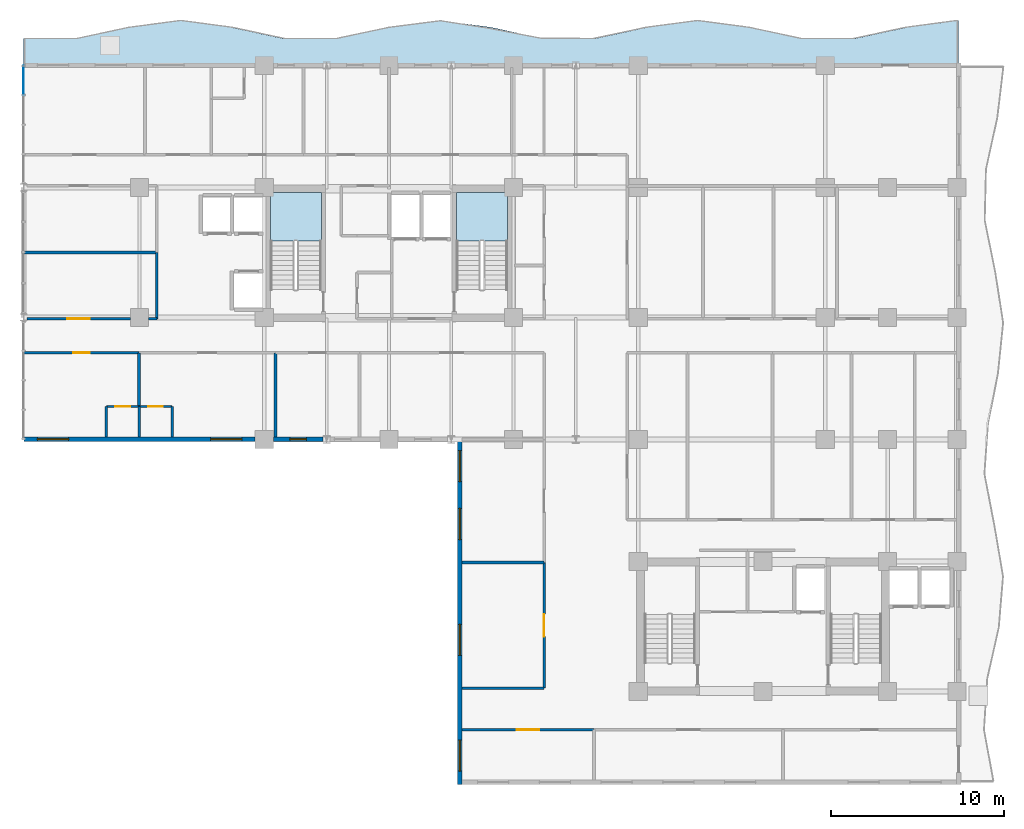
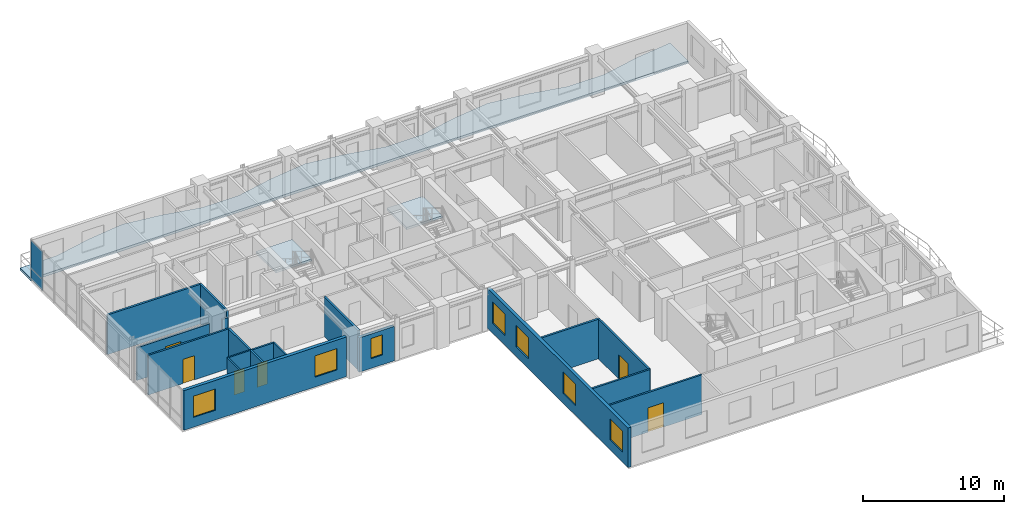
# One storey, part 10 of 19: 19 walls, 7 windows, 6 doors, 3 slabs, 2 plates, 13 openings, 3 elements without a shape of their own.
"""IFC4 building model written with IfcOpenShell, lengths in metres."""

from ifc_helpers import new_model, si_unit, direction, frame, frame_2d, origin, origin_2d, place, context, subcontext, project, spatial, polyline, rectangle, outline, extrude, source, transform, mapped, material, layer, layer_set, type_object, element, fill, aggregate, save


model = new_model("IFC4")

# Units and contexts
model_context = context("Model", 3, precision=1e-05, world=origin(), true_north=direction((0.0, 1.0)))
body_context = subcontext(model_context, "Body", "Model", "MODEL_VIEW")
ifc_project = project(units=[si_unit("LENGTHUNIT", "METRE"), si_unit("AREAUNIT", "SQUARE_METRE"), si_unit("VOLUMEUNIT", "CUBIC_METRE"), si_unit("PLANEANGLEUNIT", "RADIAN"), si_unit("MASSUNIT", "GRAM", prefix="KILO")], contexts=[model_context])

# Site, building, storey
site_placement = place(None, origin())
site = spatial("IfcSite", under=ifc_project, at=site_placement, CompositionType="ELEMENT")
building_placement = place(site_placement, origin())
building = spatial("IfcBuilding", under=site, at=building_placement, Name="Kaliganga Portal Commons", CompositionType="ELEMENT")
storey_placement = place(building_placement, frame((0.0, 0.0, 184.60009765625)))
storey = spatial("IfcBuildingStorey", under=building, at=storey_placement, Name="L47", CompositionType="ELEMENT", Elevation=184.60009765625)

# Slab
ifc_material_1 = material(Name="Concrete C40/50", Category="concrete")
ifc_layer_1 = layer(ifc_material_1, 0.2099609375)
ifc_layer_set_1 = layer_set([ifc_layer_1], Name="Concrete C40/50")
slab_type_1 = type_object("IfcSlabType", Name="SLB-BALC-210", PredefinedType="FLOOR", material=ifc_layer_set_1)
slab_1_placement = place(storey_placement, frame((0.0, 0.0, -0.210205078125)))
element("IfcSlab", 1, at=slab_1_placement, inside=storey, type_object=slab_type_1, Name="Scalloped Tree-Planter Balcony Slab L47 balc_north", PredefinedType="FLOOR", context=body_context, shape_type="SweptSolid", body=[
    extrude(outline(polyline([(54.5, 43.199951171875), (54.5, 45.800048828125), (51.5, 45.400146484375), (48.5, 44.75341796875), (45.5, 44.75341796875), (42.5, 45.400146484375), (39.5, 45.800048828125), (36.5, 45.400146484375), (33.5, 44.75341796875), (30.5, 44.75341796875), (27.5, 45.400146484375), (24.5, 45.800048828125), (21.5, 45.400146484375), (18.5, 44.75341796875), (15.5, 44.75341796875), (12.5, 45.400146484375), (9.5, 45.800048828125), (6.5, 45.400146484375), (3.5, 44.75341796875), (0.5, 44.75341796875), (0.5, 43.199951171875), (54.5, 43.199951171875)])), origin(), (0.0, 0.0, 1.0), 0.210205078125),
])

# Stair, slab
stair_type = type_object("IfcStairType", Name="ST-CORE-DOGLEG", PredefinedType="HALF_TURN_STAIR", material=ifc_material_1)
stair_1_placement = place(storey_placement, origin())
stair_1 = element("IfcStair", 2, at=stair_1_placement, inside=storey, type_object=stair_type, Name="L47 Protected Exit Stair ST-A1", PredefinedType="HALF_TURN_STAIR")
ifc_layer_2 = layer(ifc_material_1, 0.199951171875)
ifc_layer_set_2 = layer_set([ifc_layer_2], Name="Concrete C40/50")
slab_type_2 = type_object("IfcSlabType", Name="SLB-STAIR-LND", PredefinedType="LANDING", material=ifc_layer_set_2)
slab_2_placement = place(storey_placement, frame((0.0, 0.0, 1.64990234375)))
slab_2 = element("IfcSlab", 3, at=slab_2_placement, type_object=slab_type_2, Name="ST-A1 landing 1", PredefinedType="LANDING", context=body_context, shape_type="SweptSolid", body=[
    extrude(outline(polyline([(17.699951171875, 33.050048828125), (17.699951171875, 35.85009765625), (14.75, 35.85009765625), (14.75, 33.050048828125), (17.699951171875, 33.050048828125)])), origin(), (0.0, 0.0, 1.0), 0.199951171875),
])
aggregate(stair_1, [slab_2])

stair_2_placement = place(storey_placement, origin())
stair_2 = element("IfcStair", 4, at=stair_2_placement, inside=storey, type_object=stair_type, Name="L47 Protected Exit Stair ST-A2", PredefinedType="HALF_TURN_STAIR")
slab_3_placement = place(storey_placement, frame((0.0, 0.0, 1.64990234375)))
slab_3 = element("IfcSlab", 5, at=slab_3_placement, type_object=slab_type_2, Name="ST-A2 landing 1", PredefinedType="LANDING", context=body_context, shape_type="SweptSolid", body=[
    extrude(outline(polyline([(28.449951171875, 33.050048828125), (28.449951171875, 35.85009765625), (25.5, 35.85009765625), (25.5, 33.050048828125), (28.449951171875, 33.050048828125)])), origin(), (0.0, 0.0, 1.0), 0.199951171875),
])
aggregate(stair_2, [slab_3])

# Curtain wall, plates
ifc_material_2 = material(Name="Anodized Aluminium and Laminated Low-E Glass", Category="aluminium")
ifc_layer_3 = layer(ifc_material_2, 0.199951171875)
ifc_layer_set_3 = layer_set([ifc_layer_3], Name="Anodized Aluminium and Laminated Low-E Glass")
curtain_wall_type = type_object("IfcCurtainWallType", Name="CW-SYS-02", PredefinedType="NOTDEFINED", material=ifc_layer_set_3)
curtain_wall_placement = place(storey_placement, origin())
curtain_wall = element("IfcCurtainWall", 6, at=curtain_wall_placement, inside=storey, type_object=curtain_wall_type, Name="CW 02 L47 P1E03S1", PredefinedType="NOTDEFINED")
ifc_material_3 = material(Name="Insulated Dark Spandrel Panel", Category="metal")
ifc_layer_4 = layer(ifc_material_3, 0.044921875)
ifc_layer_set_4 = layer_set([ifc_layer_4], Name="Insulated Dark Spandrel Panel")
plate_type_1 = type_object("IfcPlateType", Name="PLT-SPN-45", PredefinedType="SHEET", material=ifc_layer_set_4)
shared_shape_1 = source(origin(), body_context, "Body", "SweptSolid", [
    extrude(rectangle(XDim=1.67041015625, YDim=0.044921875, at=origin_2d()), origin(), (0.0, 0.0, 1.0), 0.929931640625),
])
plate_1_placement = place(storey_placement, frame((0.5, 42.3447265625, 0.009765625), z_axis=(0.0, 0.0, 1.0), x_axis=(0.0, -1.0, 0.0)))
plate_1 = element("IfcPlate", 7, at=plate_1_placement, type_object=plate_type_1, Name="CW:02:L47:P1E03S1 Spandrel 00", PredefinedType="SHEET", context=body_context, shape_type="MappedRepresentation", body=[
    mapped(shared_shape_1, transform((0.0, 0.0, 0.0), x_axis=(1.0, 0.0, 0.0), y_axis=(0.0, 1.0, 0.0), z_axis=(0.0, 0.0, 1.0), scale=1.0)),
])
ifc_material_4 = material(Name="Dark Solar-Control Laminated Low-E IGU", Category="glass")
ifc_layer_5 = layer(ifc_material_4, 0.028076171875)
ifc_layer_set_5 = layer_set([ifc_layer_5], Name="Dark Solar-Control Laminated Low-E IGU")
plate_type_2 = type_object("IfcPlateType", Name="PLT-GLZ-28", PredefinedType="CURTAIN_PANEL", material=ifc_layer_set_5)
shared_shape_2 = source(origin(), body_context, "Body", "SweptSolid", [
    extrude(rectangle(XDim=1.67041015625, YDim=0.028076171875, at=origin_2d()), origin(), (0.0, 0.0, 1.0), 2.409912109375),
])
plate_2_placement = place(storey_placement, frame((0.5, 42.3447265625, 0.9599609375), z_axis=(0.0, 0.0, 1.0), x_axis=(0.0, -1.0, 0.0)))
plate_2 = element("IfcPlate", 8, at=plate_2_placement, type_object=plate_type_2, Name="CW:02:L47:P1E03S1 Vision IGU 00", PredefinedType="CURTAIN_PANEL", context=body_context, shape_type="MappedRepresentation", body=[
    mapped(shared_shape_2, transform((0.0, 0.0, 0.0), x_axis=(1.0, 0.0, 0.0), y_axis=(0.0, 1.0, 0.0), z_axis=(0.0, 0.0, 1.0), scale=1.0)),
])
aggregate(curtain_wall, [plate_1, plate_2])

# Wall, openings, windows
ifc_material_5 = material(Name="Insulated Aluminium-Clad Spandrel Assembly", Category="aluminium")
ifc_layer_6 = layer(ifc_material_5, 0.260009765625)
ifc_layer_set_6 = layer_set([ifc_layer_6], Name="Insulated Aluminium-Clad Spandrel Assembly")
wall_type_1 = type_object("IfcWallType", Name="WL-EXT-SPAND-260", PredefinedType="STANDARD", material=ifc_layer_set_6)
wall_1_placement = place(storey_placement, frame((13.8740234375, 21.60009765625, 0.0), z_axis=(0.0, 0.0, 1.0), x_axis=(-1.0, 0.0, 0.0)))
wall_1 = element("IfcWall", 9, at=wall_1_placement, inside=storey, type_object=wall_type_1, Name="Exterior Envelope Wall L47 P1-E04-S1", PredefinedType="STANDARD", context=body_context, shape_type="SweptSolid", body=[
    extrude(rectangle(XDim=13.3369140625, YDim=0.260009765625, at=frame_2d((6.66845703125, 0.0))), origin(), (0.0, 0.0, 1.0), 3.43994140625),
])
opening_1_placement = place(wall_1_placement, frame((0.76708984375, 0.0, 0.85009765625)))
opening_1 = element("IfcOpeningElement", 10, at=opening_1_placement, cuts=wall_1, Name="Opening W-01", PredefinedType="OPENING", context=body_context, shape_type="SweptSolid", body=[
    extrude(rectangle(XDim=1.800048828125, YDim=1.85009765625, at=frame_2d((0.89990234375, 0.925048828125))), frame((0.0, 0.14013671875, 0.0), z_axis=(0.0, -1.0, 0.0), x_axis=(1.0, 0.0, 0.0)), (0.0, 0.0, 1.0), 0.280029296875),
])
opening_2_placement = place(wall_1_placement, frame((10.77001953125, 0.0, 0.85009765625)))
opening_2 = element("IfcOpeningElement", 11, at=opening_2_placement, cuts=wall_1, Name="Opening W-01", PredefinedType="OPENING", context=body_context, shape_type="SweptSolid", body=[
    extrude(rectangle(XDim=1.800048828125, YDim=1.85009765625, at=frame_2d((0.89990234375, 0.925048828125))), frame((0.0, 0.14013671875, 0.0), z_axis=(0.0, -1.0, 0.0), x_axis=(1.0, 0.0, 0.0)), (0.0, 0.0, 1.0), 0.280029296875),
])
ifc_material_6 = material(Name="Thermally Broken Aluminium and Low-E Double Glazing", Category="aluminium")
window_type_1 = type_object("IfcWindowType", Name="WIN-STD-1800", PartitioningType="DOUBLE_PANEL_VERTICAL", PredefinedType="WINDOW", material=ifc_material_6)
window_1_placement = place(opening_1_placement, origin())
window_1 = element("IfcWindow", 12, at=window_1_placement, inside=storey, type_object=window_type_1, Name="Facade Window L47-P1E04S1-00", OverallHeight=1.85009765625, OverallWidth=1.800048828125, PartitioningType="SINGLE_PANEL", PredefinedType="WINDOW", context=body_context, shape_type="SweptSolid", body=[
    extrude(rectangle(XDim=1.800048828125, YDim=1.85009765625, at=frame_2d((0.89990234375, 0.925048828125))), frame((0.0, 0.030029296875, 0.0), z_axis=(0.0, -1.0, 0.0), x_axis=(1.0, 0.0, 0.0)), (0.0, 0.0, 1.0), 0.06005859375),
])
fill(opening_1, window_1)
window_2_placement = place(opening_2_placement, origin())
window_2 = element("IfcWindow", 13, at=window_2_placement, inside=storey, type_object=window_type_1, Name="Facade Window L47-P1E04S1-03", OverallHeight=1.85009765625, OverallWidth=1.800048828125, PartitioningType="SINGLE_PANEL", PredefinedType="WINDOW", context=body_context, shape_type="SweptSolid", body=[
    extrude(rectangle(XDim=1.800048828125, YDim=1.85009765625, at=frame_2d((0.89990234375, 0.925048828125))), frame((0.0, 0.030029296875, 0.0), z_axis=(0.0, -1.0, 0.0), x_axis=(1.0, 0.0, 0.0)), (0.0, 0.0, 1.0), 0.06005859375),
])
fill(opening_2, window_2)

# Wall, opening, window
wall_2_placement = place(storey_placement, frame((17.797119140625, 21.60009765625, 0.0), z_axis=(0.0, 0.0, 1.0), x_axis=(-1.0, 0.0, 0.0)))
wall_2 = element("IfcWall", 14, at=wall_2_placement, inside=storey, type_object=wall_type_1, Name="Exterior Envelope Wall L47 P1-E04-S2", PredefinedType="STANDARD", context=body_context, shape_type="SweptSolid", body=[
    extrude(rectangle(XDim=2.87109375, YDim=0.260009765625, at=frame_2d((1.435546875, 0.0))), origin(), (0.0, 0.0, 1.0), 2.989990234375),
])
opening_3_placement = place(wall_2_placement, frame((0.96044921875, 0.0, 0.85009765625)))
opening_3 = element("IfcOpeningElement", 15, at=opening_3_placement, cuts=wall_2, Name="Opening W-04", PredefinedType="OPENING", context=body_context, shape_type="SweptSolid", body=[
    extrude(rectangle(XDim=0.949951171875, YDim=1.75, at=frame_2d((0.47509765625, 0.875))), frame((0.0, 0.14013671875, 0.0), z_axis=(0.0, -1.0, 0.0), x_axis=(1.0, 0.0, 0.0)), (0.0, 0.0, 1.0), 0.280029296875),
])
window_type_2 = type_object("IfcWindowType", Name="WIN-NARROW-950", PartitioningType="SINGLE_PANEL", PredefinedType="WINDOW", material=ifc_material_6)
window_3_placement = place(opening_3_placement, origin())
window_3 = element("IfcWindow", 16, at=window_3_placement, inside=storey, type_object=window_type_2, Name="Facade Window L47-P1E04S2-00", OverallHeight=1.75, OverallWidth=0.949951171875, PartitioningType="SINGLE_PANEL", PredefinedType="WINDOW", context=body_context, shape_type="SweptSolid", body=[
    extrude(rectangle(XDim=0.949951171875, YDim=1.75, at=frame_2d((0.47509765625, 0.875))), frame((0.0, 0.030029296875, 0.0), z_axis=(0.0, -1.0, 0.0), x_axis=(1.0, 0.0, 0.0)), (0.0, 0.0, 1.0), 0.06005859375),
])
fill(opening_3, window_3)

# Wall, openings, windows
wall_3_placement = place(storey_placement, frame((25.699951171875, 1.669921875, 0.0), z_axis=(0.0, 0.0, 1.0), x_axis=(0.0, 1.0, 0.0)))
wall_3 = element("IfcWall", 17, at=wall_3_placement, inside=storey, type_object=wall_type_1, Name="Exterior Envelope Wall L47 P1-E05-S1", PredefinedType="STANDARD", context=body_context, shape_type="SweptSolid", body=[
    extrude(rectangle(XDim=20.06005859375, YDim=0.260009765625, at=frame_2d((10.030029296875, 0.0))), origin(), (0.0, 0.0, 1.0), 3.43994140625),
])
opening_4_placement = place(wall_3_placement, frame((0.771728515625, 0.0, 0.85009765625)))
opening_4 = element("IfcOpeningElement", 18, at=opening_4_placement, cuts=wall_3, Name="Opening W-01", PredefinedType="OPENING", context=body_context, shape_type="SweptSolid", body=[
    extrude(rectangle(XDim=1.800048828125, YDim=1.85009765625, at=frame_2d((0.89990234375, 0.925048828125))), frame((0.0, 0.14013671875, 0.0), z_axis=(0.0, -1.0, 0.0), x_axis=(1.0, 0.0, 0.0)), (0.0, 0.0, 1.0), 0.280029296875),
])
opening_5_placement = place(wall_3_placement, frame((7.458251953125, 0.0, 0.85009765625)))
opening_5 = element("IfcOpeningElement", 19, at=opening_5_placement, cuts=wall_3, Name="Opening W-01", PredefinedType="OPENING", context=body_context, shape_type="SweptSolid", body=[
    extrude(rectangle(XDim=1.800048828125, YDim=1.85009765625, at=frame_2d((0.89990234375, 0.925048828125))), frame((0.0, 0.14013671875, 0.0), z_axis=(0.0, -1.0, 0.0), x_axis=(1.0, 0.0, 0.0)), (0.0, 0.0, 1.0), 0.280029296875),
])
opening_6_placement = place(wall_3_placement, frame((14.14501953125, 0.0, 0.85009765625)))
opening_6 = element("IfcOpeningElement", 20, at=opening_6_placement, cuts=wall_3, Name="Opening W-01", PredefinedType="OPENING", context=body_context, shape_type="SweptSolid", body=[
    extrude(rectangle(XDim=1.800048828125, YDim=1.85009765625, at=frame_2d((0.89990234375, 0.925048828125))), frame((0.0, 0.14013671875, 0.0), z_axis=(0.0, -1.0, 0.0), x_axis=(1.0, 0.0, 0.0)), (0.0, 0.0, 1.0), 0.280029296875),
])
opening_7_placement = place(wall_3_placement, frame((17.48828125, 0.0, 0.85009765625)))
opening_7 = element("IfcOpeningElement", 21, at=opening_7_placement, cuts=wall_3, Name="Opening W-01", PredefinedType="OPENING", context=body_context, shape_type="SweptSolid", body=[
    extrude(rectangle(XDim=1.800048828125, YDim=1.85009765625, at=frame_2d((0.89990234375, 0.925048828125))), frame((0.0, 0.14013671875, 0.0), z_axis=(0.0, -1.0, 0.0), x_axis=(1.0, 0.0, 0.0)), (0.0, 0.0, 1.0), 0.280029296875),
])
window_4_placement = place(opening_4_placement, origin())
window_4 = element("IfcWindow", 22, at=window_4_placement, inside=storey, type_object=window_type_1, Name="Facade Window L47-P1E05S1-00", OverallHeight=1.85009765625, OverallWidth=1.800048828125, PartitioningType="SINGLE_PANEL", PredefinedType="WINDOW", context=body_context, shape_type="SweptSolid", body=[
    extrude(rectangle(XDim=1.800048828125, YDim=1.85009765625, at=frame_2d((0.89990234375, 0.925048828125))), frame((0.0, 0.030029296875, 0.0), z_axis=(0.0, -1.0, 0.0), x_axis=(1.0, 0.0, 0.0)), (0.0, 0.0, 1.0), 0.06005859375),
])
fill(opening_4, window_4)
window_5_placement = place(opening_5_placement, origin())
window_5 = element("IfcWindow", 23, at=window_5_placement, inside=storey, type_object=window_type_1, Name="Facade Window L47-P1E05S1-02", OverallHeight=1.85009765625, OverallWidth=1.800048828125, PartitioningType="SINGLE_PANEL", PredefinedType="WINDOW", context=body_context, shape_type="SweptSolid", body=[
    extrude(rectangle(XDim=1.800048828125, YDim=1.85009765625, at=frame_2d((0.89990234375, 0.925048828125))), frame((0.0, 0.030029296875, 0.0), z_axis=(0.0, -1.0, 0.0), x_axis=(1.0, 0.0, 0.0)), (0.0, 0.0, 1.0), 0.06005859375),
])
fill(opening_5, window_5)
window_6_placement = place(opening_6_placement, origin())
window_6 = element("IfcWindow", 24, at=window_6_placement, inside=storey, type_object=window_type_1, Name="Facade Window L47-P1E05S1-04", OverallHeight=1.85009765625, OverallWidth=1.800048828125, PartitioningType="SINGLE_PANEL", PredefinedType="WINDOW", context=body_context, shape_type="SweptSolid", body=[
    extrude(rectangle(XDim=1.800048828125, YDim=1.85009765625, at=frame_2d((0.89990234375, 0.925048828125))), frame((0.0, 0.030029296875, 0.0), z_axis=(0.0, -1.0, 0.0), x_axis=(1.0, 0.0, 0.0)), (0.0, 0.0, 1.0), 0.06005859375),
])
fill(opening_6, window_6)
window_7_placement = place(opening_7_placement, origin())
window_7 = element("IfcWindow", 25, at=window_7_placement, inside=storey, type_object=window_type_1, Name="Facade Window L47-P1E05S1-05", OverallHeight=1.85009765625, OverallWidth=1.800048828125, PartitioningType="SINGLE_PANEL", PredefinedType="WINDOW", context=body_context, shape_type="SweptSolid", body=[
    extrude(rectangle(XDim=1.800048828125, YDim=1.85009765625, at=frame_2d((0.89990234375, 0.925048828125))), frame((0.0, 0.030029296875, 0.0), z_axis=(0.0, -1.0, 0.0), x_axis=(1.0, 0.0, 0.0)), (0.0, 0.0, 1.0), 0.06005859375),
])
fill(opening_7, window_7)

# Wall, opening, door
ifc_material_7 = material(Name="Fire-Rated Gypsum Board on Steel Stud", Category="steel")
ifc_layer_7 = layer(ifc_material_7, 0.14990234375)
ifc_layer_set_7 = layer_set([ifc_layer_7], Name="Fire-Rated Gypsum Board on Steel Stud")
wall_type_2 = type_object("IfcWallType", Name="WL-PART-CORR-150", PredefinedType="PARTITIONING", material=ifc_layer_set_7)
wall_4_placement = place(storey_placement, frame((25.83203125, 4.840087890625, 0.0), z_axis=(0.0, 0.0, 1.0), x_axis=(1.0, 0.0, 0.0)))
wall_4 = element("IfcWall", 26, at=wall_4_placement, inside=storey, type_object=wall_type_2, Name="Interior Partition L47-014", PredefinedType="PARTITIONING", context=body_context, shape_type="SweptSolid", body=[
    extrude(rectangle(XDim=7.60791015625, YDim=0.14990234375, at=frame_2d((3.803955078125, 0.0))), origin(), (0.0, 0.0, 1.0), 3.43994140625),
])
opening_8_placement = place(wall_4_placement, frame((3.154052734375, 0.0, 0.0)))
opening_8 = element("IfcOpeningElement", 27, at=opening_8_placement, cuts=wall_4, Name="Opening RD-03", PredefinedType="OPENING", context=body_context, shape_type="SweptSolid", body=[
    extrude(rectangle(XDim=1.300048828125, YDim=2.1201171875, at=frame_2d((0.64990234375, 1.06005859375))), frame((0.0, 0.0849609375, 0.0), z_axis=(0.0, -1.0, 0.0), x_axis=(1.0, 0.0, 0.0)), (0.0, 0.0, 1.0), 0.169921875),
])
ifc_material_8 = material(Name="Glazed Timber Seminar Vision Door", Category="wood")
door_type_1 = type_object("IfcDoorType", Name="DR-STUDY-1300", OperationType="DOUBLE_DOOR_SINGLE_SWING", PredefinedType="DOOR", material=ifc_material_8)
door_1_placement = place(opening_8_placement, origin())
door_1 = element("IfcDoor", 28, at=door_1_placement, inside=storey, type_object=door_type_1, Name="Interior Door L47-BS01", OperationType="DOUBLE_DOOR_SINGLE_SWING", OverallHeight=2.1201171875, OverallWidth=1.300048828125, PredefinedType="DOOR", context=body_context, shape_type="SweptSolid", body=[
    extrude(rectangle(XDim=1.300048828125, YDim=2.1201171875, at=frame_2d((0.64990234375, 1.06005859375))), frame((0.0, 0.02490234375, 0.0), z_axis=(0.0, -1.0, 0.0), x_axis=(1.0, 0.0, 0.0)), (0.0, 0.0, 1.0), 0.050048828125),
])
fill(opening_8, door_1)

wall_5_placement = place(storey_placement, frame((0.701904296875, 28.56005859375, 0.0), z_axis=(0.0, 0.0, 1.0), x_axis=(1.0, 0.0, 0.0)))
wall_5 = element("IfcWall", 29, at=wall_5_placement, inside=storey, type_object=wall_type_2, Name="Interior Partition L47-015", PredefinedType="PARTITIONING", context=body_context, shape_type="SweptSolid", body=[
    extrude(rectangle(XDim=5.97314453125, YDim=0.14990234375, at=frame_2d((2.986572265625, 0.0))), origin(), (0.0, 0.0, 1.0), 2.83984375),
])
opening_9_placement = place(wall_5_placement, frame((2.33642578125, 0.0, 0.0)))
opening_9 = element("IfcOpeningElement", 30, at=opening_9_placement, cuts=wall_5, Name="Opening RD-03", PredefinedType="OPENING", context=body_context, shape_type="SweptSolid", body=[
    extrude(rectangle(XDim=1.300048828125, YDim=2.1201171875, at=frame_2d((0.64990234375, 1.06005859375))), frame((0.0, 0.0849609375, 0.0), z_axis=(0.0, -1.0, 0.0), x_axis=(1.0, 0.0, 0.0)), (0.0, 0.0, 1.0), 0.169921875),
])
door_2_placement = place(opening_9_placement, origin())
door_2 = element("IfcDoor", 31, at=door_2_placement, inside=storey, type_object=door_type_1, Name="Interior Door L47-AW01", OperationType="DOUBLE_DOOR_SINGLE_SWING", OverallHeight=2.1201171875, OverallWidth=1.300048828125, PredefinedType="DOOR", context=body_context, shape_type="SweptSolid", body=[
    extrude(rectangle(XDim=1.300048828125, YDim=2.1201171875, at=frame_2d((0.64990234375, 1.06005859375))), frame((0.0, 0.02490234375, 0.0), z_axis=(0.0, -1.0, 0.0), x_axis=(1.0, 0.0, 0.0)), (0.0, 0.0, 1.0), 0.050048828125),
])
fill(opening_9, door_2)

# Wall
wall_6_placement = place(storey_placement, frame((7.72509765625, 28.56005859375, 0.0), z_axis=(0.0, 0.0, 1.0), x_axis=(1.0, 0.0, 0.0)))
element("IfcWall", 32, at=wall_6_placement, inside=storey, type_object=wall_type_2, Name="Interior Partition L47-016", PredefinedType="PARTITIONING", context=body_context, shape_type="SweptSolid", body=[
    extrude(rectangle(XDim=0.474853515625, YDim=0.14990234375, at=frame_2d((0.2373046875, 0.0))), origin(), (0.0, 0.0, 1.0), 2.83984375),
])

# Wall, opening, door
wall_7_placement = place(storey_placement, frame((30.56005859375, 7.239990234375, 0.0), z_axis=(0.0, 0.0, 1.0), x_axis=(0.0, 1.0, 0.0)))
wall_7 = element("IfcWall", 33, at=wall_7_placement, inside=storey, type_object=wall_type_2, Name="Interior Partition L47-020", PredefinedType="PARTITIONING", context=body_context, shape_type="SweptSolid", body=[
    extrude(rectangle(XDim=7.260009765625, YDim=0.14990234375, at=frame_2d((3.6298828125, 0.0))), origin(), (0.0, 0.0, 1.0), 3.43994140625),
])
opening_10_placement = place(wall_7_placement, frame((2.97998046875, 0.0, 0.0)))
opening_10 = element("IfcOpeningElement", 34, at=opening_10_placement, cuts=wall_7, Name="Opening RD-03", PredefinedType="OPENING", context=body_context, shape_type="SweptSolid", body=[
    extrude(rectangle(XDim=1.300048828125, YDim=2.1201171875, at=frame_2d((0.64990234375, 1.06005859375))), frame((0.0, 0.0849609375, 0.0), z_axis=(0.0, -1.0, 0.0), x_axis=(1.0, 0.0, 0.0)), (0.0, 0.0, 1.0), 0.169921875),
])
door_3_placement = place(opening_10_placement, origin())
door_3 = element("IfcDoor", 35, at=door_3_placement, inside=storey, type_object=door_type_1, Name="Interior Door L47-KW01", OperationType="DOUBLE_DOOR_SINGLE_SWING", OverallHeight=2.1201171875, OverallWidth=1.300048828125, PredefinedType="DOOR", context=body_context, shape_type="SweptSolid", body=[
    extrude(rectangle(XDim=1.300048828125, YDim=2.1201171875, at=frame_2d((0.64990234375, 1.06005859375))), frame((0.0, 0.02490234375, 0.0), z_axis=(0.0, -1.0, 0.0), x_axis=(1.0, 0.0, 0.0)), (0.0, 0.0, 1.0), 0.050048828125),
])
fill(opening_10, door_3)

wall_8_placement = place(storey_placement, frame((0.52001953125, 26.60009765625, 0.0), z_axis=(0.0, 0.0, 1.0), x_axis=(1.0, 0.0, 0.0)))
wall_8 = element("IfcWall", 36, at=wall_8_placement, inside=storey, type_object=wall_type_2, Name="Interior Partition L47-026", PredefinedType="PARTITIONING", context=body_context, shape_type="SweptSolid", body=[
    extrude(rectangle(XDim=6.659912109375, YDim=0.14990234375, at=frame_2d((3.330078125, 0.0))), origin(), (0.0, 0.0, 1.0), 3.43994140625),
])
opening_11_placement = place(wall_8_placement, frame((2.85498046875, 0.0, 0.0)))
opening_11 = element("IfcOpeningElement", 37, at=opening_11_placement, cuts=wall_8, Name="Opening UD-01", PredefinedType="OPENING", context=body_context, shape_type="SweptSolid", body=[
    extrude(rectangle(XDim=0.949951171875, YDim=2.10009765625, at=frame_2d((0.47509765625, 1.050048828125))), frame((0.0, 0.0849609375, 0.0), z_axis=(0.0, -1.0, 0.0), x_axis=(1.0, 0.0, 0.0)), (0.0, 0.0, 1.0), 0.169921875),
])
ifc_material_9 = material(Name="Solid-Core Timber Acoustic Fire Door", Category="wood")
door_type_2 = type_object("IfcDoorType", Name="DR-UNIT-950", OperationType="NOTDEFINED", PredefinedType="DOOR", material=ifc_material_9)
door_4_placement = place(opening_11_placement, origin())
door_4 = element("IfcDoor", 38, at=door_4_placement, inside=storey, type_object=door_type_2, Name="Interior Door L47-AS01", OperationType="SINGLE_SWING_RIGHT", OverallHeight=2.10009765625, OverallWidth=0.949951171875, PredefinedType="DOOR", context=body_context, shape_type="SweptSolid", body=[
    extrude(rectangle(XDim=0.949951171875, YDim=2.10009765625, at=frame_2d((0.47509765625, 1.050048828125))), frame((0.0, 0.02490234375, 0.0), z_axis=(0.0, -1.0, 0.0), x_axis=(1.0, 0.0, 0.0)), (0.0, 0.0, 1.0), 0.050048828125),
])
fill(opening_11, door_4)

# Walls
wall_9_placement = place(storey_placement, frame((25.83203125, 7.239990234375, 0.0), z_axis=(0.0, 0.0, 1.0), x_axis=(1.0, 0.0, 0.0)))
element("IfcWall", 39, at=wall_9_placement, inside=storey, type_object=wall_type_2, Name="Interior Partition L47-032", PredefinedType="PARTITIONING", context=body_context, shape_type="SweptSolid", body=[
    extrude(rectangle(XDim=4.72802734375, YDim=0.14990234375, at=frame_2d((2.364013671875, 0.0))), origin(), (0.0, 0.0, 1.0), 3.43994140625),
])
wall_10_placement = place(storey_placement, frame((8.199951171875, 28.56005859375, 0.0), z_axis=(0.0, 0.0, 1.0), x_axis=(0.0, 1.0, 0.0)))
element("IfcWall", 40, at=wall_10_placement, inside=storey, type_object=wall_type_2, Name="Interior Partition L47-041", PredefinedType="PARTITIONING", context=body_context, shape_type="SweptSolid", body=[
    extrude(rectangle(XDim=3.83984375, YDim=0.14990234375, at=frame_2d((1.919921875, 0.0))), origin(), (0.0, 0.0, 1.0), 3.43994140625),
])
ifc_material_10 = material(Name="Twin-Stud Acoustic Gypsum Partition", Category="gypsum")
ifc_layer_8 = layer(ifc_material_10, 0.1650390625)
ifc_layer_set_8 = layer_set([ifc_layer_8], Name="Twin-Stud Acoustic Gypsum Partition")
wall_type_3 = type_object("IfcWallType", Name="WL-PART-UNIT-165", PredefinedType="PARTITIONING", material=ifc_layer_set_8)
wall_11_placement = place(storey_placement, frame((0.52001953125, 32.39990234375, 0.0), z_axis=(0.0, 0.0, 1.0), x_axis=(1.0, 0.0, 0.0)))
element("IfcWall", 41, at=wall_11_placement, inside=storey, type_object=wall_type_3, Name="Interior Partition L47-071", PredefinedType="PARTITIONING", context=body_context, shape_type="SweptSolid", body=[
    extrude(rectangle(XDim=7.679931640625, YDim=0.1650390625, at=frame_2d((3.83984375, 0.0))), origin(), (0.0, 0.0, 1.0), 3.43994140625),
])
wall_12_placement = place(storey_placement, frame((15.06005859375, 21.73193359375, 0.0), z_axis=(0.0, 0.0, 1.0), x_axis=(0.0, 1.0, 0.0)))
element("IfcWall", 42, at=wall_12_placement, inside=storey, type_object=wall_type_3, Name="Interior Partition L47-081", PredefinedType="PARTITIONING", context=body_context, shape_type="SweptSolid", body=[
    extrude(rectangle(XDim=4.8681640625, YDim=0.1650390625, at=frame_2d((2.43408203125, 0.0))), origin(), (0.0, 0.0, 1.0), 3.43994140625),
])
wall_13_placement = place(storey_placement, frame((25.83203125, 14.5, 0.0), z_axis=(0.0, 0.0, 1.0), x_axis=(1.0, 0.0, 0.0)))
element("IfcWall", 43, at=wall_13_placement, inside=storey, type_object=wall_type_3, Name="Interior Partition L47-083", PredefinedType="PARTITIONING", context=body_context, shape_type="SweptSolid", body=[
    extrude(rectangle(XDim=4.72802734375, YDim=0.1650390625, at=frame_2d((2.364013671875, 0.0))), origin(), (0.0, 0.0, 1.0), 3.43994140625),
])
wall_14_placement = place(storey_placement, frame((7.179931640625, 23.5, 0.0), z_axis=(0.0, 0.0, 1.0), x_axis=(0.0, 1.0, 0.0)))
element("IfcWall", 44, at=wall_14_placement, inside=storey, type_object=wall_type_3, Name="Interior Partition L47-091", PredefinedType="PARTITIONING", context=body_context, shape_type="SweptSolid", body=[
    extrude(rectangle(XDim=3.10009765625, YDim=0.1650390625, at=frame_2d((1.550048828125, 0.0))), origin(), (0.0, 0.0, 1.0), 3.43994140625),
])

# Wall, opening, door
ifc_material_11 = material(Name="Cement-Board Wet-Room Partition", Category="gypsum")
ifc_layer_9 = layer(ifc_material_11, 0.135009765625)
ifc_layer_set_9 = layer_set([ifc_layer_9], Name="Cement-Board Wet-Room Partition")
wall_type_4 = type_object("IfcWallType", Name="WL-PART-WET-135", PredefinedType="PARTITIONING", material=ifc_layer_set_9)
wall_15_placement = place(storey_placement, frame((7.179931640625, 23.5, 0.0), z_axis=(0.0, 0.0, 1.0), x_axis=(1.0, 0.0, 0.0)))
wall_15 = element("IfcWall", 45, at=wall_15_placement, inside=storey, type_object=wall_type_4, Name="Interior Partition L47-003", PredefinedType="PARTITIONING", context=body_context, shape_type="SweptSolid", body=[
    extrude(rectangle(XDim=1.900146484375, YDim=0.135009765625, at=frame_2d((0.9501953125, 0.0))), origin(), (0.0, 0.0, 1.0), 3.43994140625),
])
opening_12_placement = place(wall_15_placement, frame((0.52490234375, 0.0, 0.0)))
opening_12 = element("IfcOpeningElement", 46, at=opening_12_placement, cuts=wall_15, Name="Opening WD-01", PredefinedType="OPENING", context=body_context, shape_type="SweptSolid", body=[
    extrude(rectangle(XDim=0.85009765625, YDim=2.0400390625, at=frame_2d((0.425048828125, 1.02001953125))), frame((0.0, 0.07763671875, 0.0), z_axis=(0.0, -1.0, 0.0), x_axis=(1.0, 0.0, 0.0)), (0.0, 0.0, 1.0), 0.155029296875),
])
ifc_material_12 = material(Name="Moisture-Resistant Laminate Timber Door", Category="wood")
door_type_3 = type_object("IfcDoorType", Name="DR-WET-850", OperationType="NOTDEFINED", PredefinedType="DOOR", material=ifc_material_12)
door_5_placement = place(opening_12_placement, origin())
door_5 = element("IfcDoor", 47, at=door_5_placement, inside=storey, type_object=door_type_3, Name="Interior Door L47-AS02E", OperationType="SINGLE_SWING_RIGHT", OverallHeight=2.0400390625, OverallWidth=0.85009765625, PredefinedType="DOOR", context=body_context, shape_type="SweptSolid", body=[
    extrude(rectangle(XDim=0.85009765625, YDim=2.0400390625, at=frame_2d((0.425048828125, 1.02001953125))), frame((0.0, 0.02490234375, 0.0), z_axis=(0.0, -1.0, 0.0), x_axis=(1.0, 0.0, 0.0)), (0.0, 0.0, 1.0), 0.050048828125),
])
fill(opening_12, door_5)

wall_16_placement = place(storey_placement, frame((5.280029296875, 23.5, 0.0), z_axis=(0.0, 0.0, 1.0), x_axis=(1.0, 0.0, 0.0)))
wall_16 = element("IfcWall", 48, at=wall_16_placement, inside=storey, type_object=wall_type_4, Name="Interior Partition L47-005", PredefinedType="PARTITIONING", context=body_context, shape_type="SweptSolid", body=[
    extrude(rectangle(XDim=1.89990234375, YDim=0.135009765625, at=frame_2d((0.949951171875, 0.0))), origin(), (0.0, 0.0, 1.0), 3.43994140625),
])
opening_13_placement = place(wall_16_placement, frame((0.52490234375, 0.0, 0.0)))
opening_13 = element("IfcOpeningElement", 49, at=opening_13_placement, cuts=wall_16, Name="Opening WD-01", PredefinedType="OPENING", context=body_context, shape_type="SweptSolid", body=[
    extrude(rectangle(XDim=0.85009765625, YDim=2.0400390625, at=frame_2d((0.425048828125, 1.02001953125))), frame((0.0, 0.07763671875, 0.0), z_axis=(0.0, -1.0, 0.0), x_axis=(1.0, 0.0, 0.0)), (0.0, 0.0, 1.0), 0.155029296875),
])
door_6_placement = place(opening_13_placement, origin())
door_6 = element("IfcDoor", 50, at=door_6_placement, inside=storey, type_object=door_type_3, Name="Interior Door L47-AS01E", OperationType="SINGLE_SWING_LEFT", OverallHeight=2.0400390625, OverallWidth=0.85009765625, PredefinedType="DOOR", context=body_context, shape_type="SweptSolid", body=[
    extrude(rectangle(XDim=0.85009765625, YDim=2.0400390625, at=frame_2d((0.425048828125, 1.02001953125))), frame((0.0, 0.02490234375, 0.0), z_axis=(0.0, -1.0, 0.0), x_axis=(1.0, 0.0, 0.0)), (0.0, 0.0, 1.0), 0.050048828125),
])
fill(opening_13, door_6)

# Walls
for number, where, z_axis, x_axis, name in (
    (51, (5.280029296875, 21.73193359375, 0.0), (0.0, 0.0, 1.0), (0.0, 1.0, 0.0), "Interior Partition L47-006"),
    (52, (7.179931640625, 21.73193359375, 0.0), (0.0, 0.0, 1.0), (0.0, 1.0, 0.0), "Interior Partition L47-007"),
    (53, (9.080078125, 21.73193359375, 0.0), (0.0, 0.0, 1.0), (0.0, 1.0, 0.0), "Interior Partition L47-008"),
):
    element("IfcWall", number, at=place(storey_placement, frame(where, z_axis=z_axis, x_axis=x_axis)), inside=storey, type_object=wall_type_4, Name=name, PredefinedType="PARTITIONING", context=body_context, shape_type="SweptSolid", body=[
        extrude(rectangle(XDim=1.76806640625, YDim=0.135009765625, at=frame_2d((0.884033203125, 0.0))), origin(), (0.0, 0.0, 1.0), 3.43994140625),
    ])

save(model, "model.ifc")
